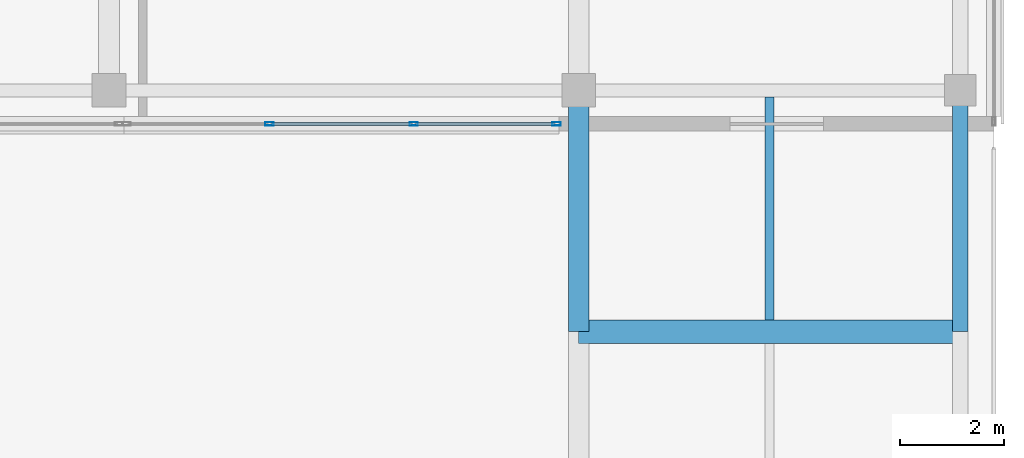
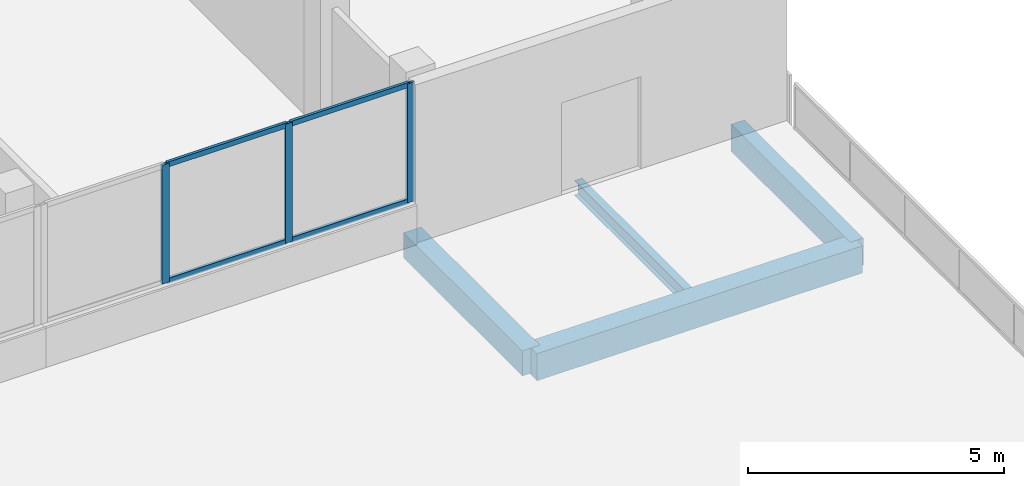
# One storey, part 49 of 76: 7 members, 4 beams, 1 element without a shape of its own.
"""IFC4 building model written with IfcOpenShell, lengths in metres."""

from ifc_helpers import new_model, si_unit, direction, frame, origin, origin_2d, place, context, subcontext, project, spatial, rectangle, hollow_rectangle, i_section, extrude, material, material_profile, profile_set, type_object, element, aggregate, save


model = new_model("IFC4")

# Units and contexts
model_context = context("Model", 3, precision=1e-05, world=origin(), true_north=direction((0.0, 1.0)))
body_context = subcontext(model_context, "Body", "Model", "MODEL_VIEW")
ifc_project = project(units=[si_unit("LENGTHUNIT", "METRE"), si_unit("AREAUNIT", "SQUARE_METRE"), si_unit("VOLUMEUNIT", "CUBIC_METRE"), si_unit("PLANEANGLEUNIT", "RADIAN"), si_unit("MASSUNIT", "GRAM", prefix="KILO")], contexts=[model_context])

# Site, building, storey
site_placement = place(None, origin())
site = spatial("IfcSite", under=ifc_project, at=site_placement, CompositionType="ELEMENT")
building_placement = place(site_placement, origin())
building = spatial("IfcBuilding", under=site, at=building_placement, Name="Selatvlak General Hospital", CompositionType="ELEMENT")
storey_placement = place(building_placement, frame((0.0, 0.0, 27.300048828125)))
storey = spatial("IfcBuildingStorey", under=building, at=storey_placement, Name="L06", CompositionType="ELEMENT", Elevation=27.300048828125)

# Beams
ifc_material_1 = material(Name="Concrete C40/50", Category="concrete")
ifc_material_profile_1 = material_profile(ifc_material_1, rectangle(XDim=0.449951171875, YDim=0.64990234375, at=origin_2d()), Name="RC-BM 450x650")
ifc_profile_set_1 = profile_set([ifc_material_profile_1], Name="Concrete C40/50")
beam_type_1 = type_object("IfcBeamType", Name="BM-G04", PredefinedType="BEAM", material=ifc_profile_set_1)
beam_1_placement = place(storey_placement, frame((174.0, 84.0, -0.613037109375), z_axis=(1.0, 0.0, 0.0), x_axis=(0.0, 1.0, 0.0)))
element("IfcBeam", 1, at=beam_1_placement, inside=storey, type_object=beam_type_1, Name="Beam BMR-L06-2144", PredefinedType="BEAM", context=body_context, shape_type="SweptSolid", body=[
    extrude(rectangle(XDim=0.449951171875, YDim=0.64990234375, at=origin_2d()), origin(), (0.0, 0.0, 1.0), 7.35009765625),
])
ifc_material_profile_2 = material_profile(ifc_material_1, rectangle(XDim=0.39990234375, YDim=0.60009765625, at=origin_2d()), Name="RC-BM 400x600")
ifc_profile_set_2 = profile_set([ifc_material_profile_2], Name="Concrete C40/50")
beam_type_2 = type_object("IfcBeamType", Name="BM-G05", PredefinedType="BEAM", material=ifc_profile_set_2)
beam_2_placement = place(storey_placement, frame((174.0, 84.0, -0.588134765625), z_axis=(0.0, 1.0, 0.0), x_axis=(-1.0, 0.0, 0.0)))
element("IfcBeam", 2, at=beam_2_placement, inside=storey, type_object=beam_type_2, Name="Beam BMR-L06-2338", PredefinedType="BEAM", context=body_context, shape_type="SweptSolid", body=[
    extrude(rectangle(XDim=0.39990234375, YDim=0.60009765625, at=origin_2d()), origin(), (0.0, 0.0, 1.0), 4.64990234375),
])
ifc_material_2 = material(Name="Steel S355", Category="steel")
ifc_material_profile_3 = material_profile(ifc_material_2, i_section(OverallWidth=0.17138671875, OverallDepth=0.35498046875, WebThickness=0.00732421875, FlangeThickness=0.011474609375, at=origin_2d()), Name="UB 356x171x51")
ifc_profile_set_3 = profile_set([ifc_material_profile_3], Name="Steel S355")
beam_type_3 = type_object("IfcBeamType", Name="BM-J05", PredefinedType="JOIST", material=ifc_profile_set_3)
beam_3_placement = place(storey_placement, frame((177.675048828125, 84.22509765625, -0.465087890625), z_axis=(0.0, 1.0, 0.0), x_axis=(-1.0, 0.0, 0.0)))
element("IfcBeam", 3, at=beam_3_placement, inside=storey, type_object=beam_type_3, Name="Beam BMR-L06-2358", PredefinedType="JOIST", context=body_context, shape_type="SweptSolid", body=[
    extrude(i_section(OverallWidth=0.17138671875, OverallDepth=0.35498046875, WebThickness=0.00732421875, FlangeThickness=0.011474609375, at=origin_2d()), origin(), (0.0, 0.0, 1.0), 4.2998046875),
])
ifc_material_profile_4 = material_profile(ifc_material_1, rectangle(XDim=0.300048828125, YDim=0.64990234375, at=origin_2d()), Name="RC-SP 300x650")
ifc_profile_set_4 = profile_set([ifc_material_profile_4], Name="Concrete C40/50")
beam_type_4 = type_object("IfcBeamType", Name="BM-SP1", PredefinedType="SPANDREL", material=ifc_profile_set_4)
beam_4_placement = place(storey_placement, frame((181.35009765625, 84.0, -0.613037109375), z_axis=(0.0, 1.0, 0.0), x_axis=(-1.0, 0.0, 0.0)))
element("IfcBeam", 4, at=beam_4_placement, inside=storey, type_object=beam_type_4, Name="Beam BMR-L06-2348", PredefinedType="SPANDREL", context=body_context, shape_type="SweptSolid", body=[
    extrude(rectangle(XDim=0.300048828125, YDim=0.64990234375, at=origin_2d()), origin(), (0.0, 0.0, 1.0), 4.64990234375),
])

# Curtain wall, members
ifc_material_3 = material(Name="Solar-control Low-E double glazing", Category="glass")
curtain_wall_type = type_object("IfcCurtainWallType", Name="CW-CW-01", PredefinedType="USERDEFINED", material=ifc_material_3)
curtain_wall_placement = place(storey_placement, origin())
curtain_wall = element("IfcCurtainWall", 5, at=curtain_wall_placement, inside=storey, type_object=curtain_wall_type, Name="Glazed facade curtain wall CW-L06-0621", ObjectType="UNITISED CURTAIN WALL", PredefinedType="USERDEFINED")
ifc_material_4 = material(Name="Dark anodised aluminium mullion", Category="aluminium")
ifc_material_profile_5 = material_profile(ifc_material_4, hollow_rectangle(XDim=0.06494140625, YDim=0.159912109375, WallThickness=0.00390625, at=origin_2d()), Name="AL-MUL 65x160x4")
ifc_profile_set_5 = profile_set([ifc_material_profile_5], Name="Dark anodised aluminium mullion")
member_type_1 = type_object("IfcMemberType", Name="CWM-01", PredefinedType="MULLION", material=ifc_profile_set_5)
member_1_placement = place(storey_placement, frame((173.573486328125, 88.0009765625, 0.93994140625), z_axis=(0.0, 0.0, 1.0), x_axis=(0.0, -1.0, 0.0)))
member_1 = element("IfcMember", 6, at=member_1_placement, type_object=member_type_1, Name="CW-01 mullion 1", PredefinedType="MULLION", context=body_context, shape_type="SweptSolid", body=[
    extrude(hollow_rectangle(XDim=0.06494140625, YDim=0.159912109375, WallThickness=0.00390625, at=origin_2d()), origin(), (0.0, 0.0, 1.0), 2.840087890625),
])
member_2_placement = place(storey_placement, frame((170.822998046875, 88.0009765625, 0.93994140625), z_axis=(0.0, 0.0, 1.0), x_axis=(0.0, -1.0, 0.0)))
member_2 = element("IfcMember", 7, at=member_2_placement, type_object=member_type_1, Name="CW-01 mullion 2", PredefinedType="MULLION", context=body_context, shape_type="SweptSolid", body=[
    extrude(hollow_rectangle(XDim=0.06494140625, YDim=0.159912109375, WallThickness=0.00390625, at=origin_2d()), origin(), (0.0, 0.0, 1.0), 2.840087890625),
])
member_3_placement = place(storey_placement, frame((168.0400390625, 88.0009765625, 0.93994140625), z_axis=(0.0, 0.0, 1.0), x_axis=(0.0, -1.0, 0.0)))
member_3 = element("IfcMember", 8, at=member_3_placement, type_object=member_type_1, Name="CW-01 mullion 3", PredefinedType="MULLION", context=body_context, shape_type="SweptSolid", body=[
    extrude(hollow_rectangle(XDim=0.06494140625, YDim=0.159912109375, WallThickness=0.00390625, at=origin_2d()), origin(), (0.0, 0.0, 1.0), 2.840087890625),
])
ifc_material_profile_6 = material_profile(ifc_material_4, hollow_rectangle(XDim=0.06494140625, YDim=0.1201171875, WallThickness=0.00390625, at=origin_2d()), Name="AL-TRN 65x120x4")
ifc_profile_set_6 = profile_set([ifc_material_profile_6], Name="Dark anodised aluminium mullion")
member_type_2 = type_object("IfcMemberType", Name="CWT-01", PredefinedType="USERDEFINED", material=ifc_profile_set_6)
member_4_placement = place(storey_placement, frame((173.541015625, 88.0009765625, 0.972412109375), z_axis=(-1.0, 0.0, 0.0), x_axis=(0.0, -1.0, 0.0)))
member_4 = element("IfcMember", 9, at=member_4_placement, type_object=member_type_2, Name="CW-01 transom 1.1", ObjectType="TRANSOM", PredefinedType="USERDEFINED", context=body_context, shape_type="SweptSolid", body=[
    extrude(hollow_rectangle(XDim=0.06494140625, YDim=0.1201171875, WallThickness=0.00390625, at=origin_2d()), origin(), (0.0, 0.0, 1.0), 2.685546875),
])
member_5_placement = place(storey_placement, frame((173.541015625, 88.0009765625, 3.74755859375), z_axis=(-1.0, 0.0, 0.0), x_axis=(0.0, -1.0, 0.0)))
member_5 = element("IfcMember", 10, at=member_5_placement, type_object=member_type_2, Name="CW-01 transom 1.2", ObjectType="TRANSOM", PredefinedType="USERDEFINED", context=body_context, shape_type="SweptSolid", body=[
    extrude(hollow_rectangle(XDim=0.06494140625, YDim=0.1201171875, WallThickness=0.00390625, at=origin_2d()), origin(), (0.0, 0.0, 1.0), 2.685546875),
])
member_6_placement = place(storey_placement, frame((170.79052734375, 88.0009765625, 0.972412109375), z_axis=(-1.0, 0.0, 0.0), x_axis=(0.0, -1.0, 0.0)))
member_6 = element("IfcMember", 11, at=member_6_placement, type_object=member_type_2, Name="CW-01 transom 2.1", ObjectType="TRANSOM", PredefinedType="USERDEFINED", context=body_context, shape_type="SweptSolid", body=[
    extrude(hollow_rectangle(XDim=0.06494140625, YDim=0.1201171875, WallThickness=0.00390625, at=origin_2d()), origin(), (0.0, 0.0, 1.0), 2.718017578125),
])
member_7_placement = place(storey_placement, frame((170.79052734375, 88.0009765625, 3.74755859375), z_axis=(-1.0, 0.0, 0.0), x_axis=(0.0, -1.0, 0.0)))
member_7 = element("IfcMember", 12, at=member_7_placement, type_object=member_type_2, Name="CW-01 transom 2.2", ObjectType="TRANSOM", PredefinedType="USERDEFINED", context=body_context, shape_type="SweptSolid", body=[
    extrude(hollow_rectangle(XDim=0.06494140625, YDim=0.1201171875, WallThickness=0.00390625, at=origin_2d()), origin(), (0.0, 0.0, 1.0), 2.718017578125),
])
aggregate(curtain_wall, [member_1, member_2, member_3, member_4, member_5, member_6, member_7])

save(model, "model.ifc")
